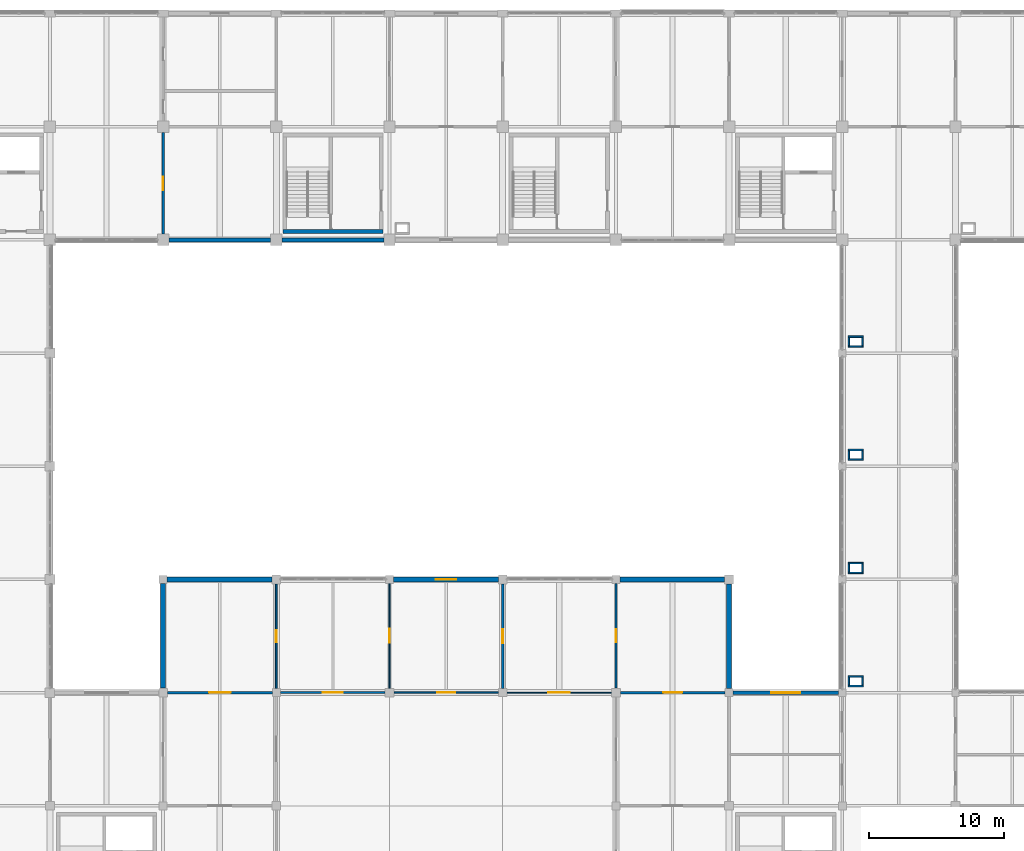
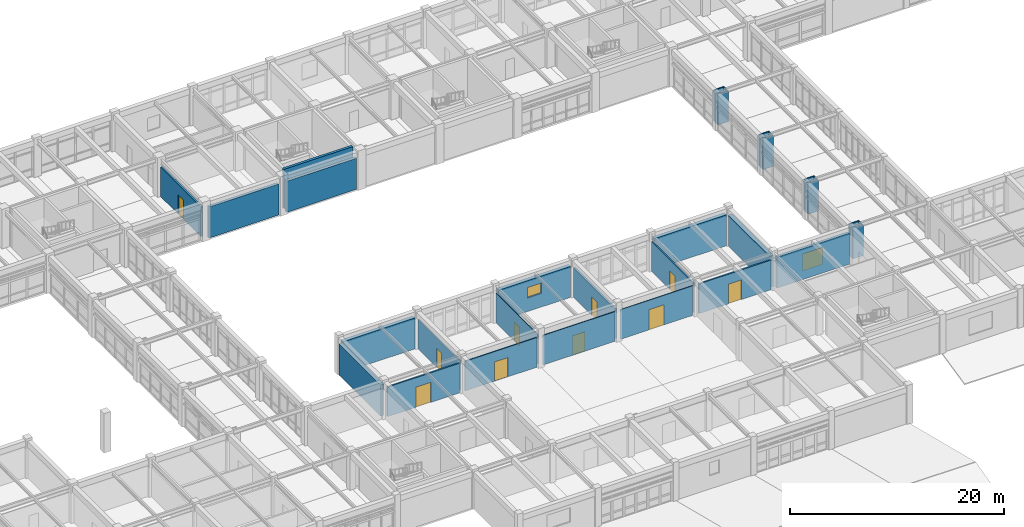
# One storey, part 67 of 78: 35 walls, 10 doors, 2 windows, 12 openings.
"""IFC4 building model written with IfcOpenShell, lengths in metres."""

from ifc_helpers import new_model, si_unit, direction, frame, frame_2d, origin, place, context, subcontext, project, spatial, rectangle, extrude, material, layer, layer_set, type_object, element, fill, save


model = new_model("IFC4")

# Units and contexts
model_context = context("Model", 3, precision=1e-05, world=origin(), true_north=direction((0.0, 1.0)))
body_context = subcontext(model_context, "Body", "Model", "MODEL_VIEW")
ifc_project = project(units=[si_unit("LENGTHUNIT", "METRE"), si_unit("AREAUNIT", "SQUARE_METRE"), si_unit("VOLUMEUNIT", "CUBIC_METRE"), si_unit("PLANEANGLEUNIT", "RADIAN"), si_unit("MASSUNIT", "GRAM", prefix="KILO")], contexts=[model_context])

# Site, building, storey
site_placement = place(None, origin())
site = spatial("IfcSite", under=ifc_project, at=site_placement, CompositionType="ELEMENT")
building_placement = place(site_placement, origin())
building = spatial("IfcBuilding", under=site, at=building_placement, Name="Porcellanite Civic Hall", CompositionType="ELEMENT")
storey_placement = place(building_placement, frame((0.0, 0.0, 10.260009765625)))
storey = spatial("IfcBuildingStorey", under=building, at=storey_placement, Name="L02", CompositionType="ELEMENT", Elevation=10.260009765625)

# Walls
ifc_material_1 = material(Name="Concrete N40 (40 MPa)", Category="concrete")
ifc_layer_1 = layer(ifc_material_1, 0.280029296875)
ifc_layer_set_1 = layer_set([ifc_layer_1], Name="Concrete N40 (40 MPa)")
wall_type_1 = type_object("IfcWallType", Name="CW-SH280", PredefinedType="SHEAR", material=ifc_layer_set_1)
wall_1_placement = place(storey_placement, frame((83.52001953125, 101.419921875, 0.0), z_axis=(0.0, 0.0, 1.0), x_axis=(-1.0, 0.0, 0.0)))
element("IfcWall", 1, at=wall_1_placement, inside=storey, type_object=wall_type_1, Name="Core wall S9 L02 S", PredefinedType="SHEAR", context=body_context, shape_type="SweptSolid", body=[
    extrude(rectangle(XDim=7.43994140625, YDim=0.280029296875, at=frame_2d((3.719970703125, 0.0))), origin(), (0.0, 0.0, 1.0), 4.5),
])
ifc_material_2 = material(Name="Precast concrete N40 (40 MPa)", Category="concrete")
ifc_layer_2 = layer(ifc_material_2, 0.300048828125)
ifc_layer_set_2 = layer_set([ifc_layer_2], Name="Precast concrete N40 (40 MPa)")
wall_type_2 = type_object("IfcWallType", Name="EW-ADM300", PredefinedType="SOLIDWALL", material=ifc_layer_set_2)
for number, where, z_axis, x_axis, name in (
    (2, (75.174072265625, 100.800048828125, 0.0), (0.0, 0.0, 1.0), (-1.0, 0.0, 0.0), "Exterior wall L02 S 9-13"),
    (3, (83.573974609375, 100.800048828125, 0.0), (0.0, 0.0, 1.0), (-1.0, 0.0, 0.0), "Exterior wall L02 S 10-13"),
):
    element("IfcWall", number, at=place(storey_placement, frame(where, z_axis=z_axis, x_axis=x_axis)), inside=storey, type_object=wall_type_2, Name=name, PredefinedType="SOLIDWALL", context=body_context, shape_type="SweptSolid", body=[
        extrude(rectangle(XDim=7.548095703125, YDim=0.300048828125, at=frame_2d((3.77392578125, 0.0))), origin(), (0.0, 0.0, 1.0), 3.5400390625),
    ])

# Wall, opening, window
ifc_material_3 = material(Name="Precast concrete N40 (40 MPa)", Category="concrete")
ifc_layer_3 = layer(ifc_material_3, 0.280029296875)
ifc_layer_set_3 = layer_set([ifc_layer_3], Name="Precast concrete N40 (40 MPa)")
wall_type_3 = type_object("IfcWallType", Name="EW-CLO280", PredefinedType="SOLIDWALL", material=ifc_layer_set_3)
wall_2_placement = place(storey_placement, frame((109.5009765625, 67.199951171875, 0.0), z_axis=(0.0, 0.0, 1.0), x_axis=(1.0, 0.0, 0.0)))
wall_2 = element("IfcWall", 4, at=wall_2_placement, inside=storey, type_object=wall_type_3, Name="Exterior wall L02 N 14-8", PredefinedType="SOLIDWALL", context=body_context, shape_type="SweptSolid", body=[
    extrude(rectangle(XDim=7.822998046875, YDim=0.280029296875, at=frame_2d((3.91162109375, 0.0))), origin(), (0.0, 0.0, 1.0), 3.5400390625),
])
opening_1_placement = place(wall_2_placement, frame((2.8369140625, 0.0, 0.89990234375)))
opening_1 = element("IfcOpeningElement", 5, at=opening_1_placement, cuts=wall_2, Name="Opening W32", PredefinedType="OPENING", context=body_context, shape_type="SweptSolid", body=[
    extrude(rectangle(XDim=2.14990234375, YDim=1.949951171875, at=frame_2d((1.074951171875, 0.97509765625))), frame((0.0, 0.14013671875, 0.0), z_axis=(0.0, -1.0, 0.0), x_axis=(1.0, 0.0, 0.0)), (0.0, 0.0, 1.0), 0.280029296875),
])
ifc_material_4 = material(Name="Cyclone laminated low-E glazing in anodised aluminium frame", Category="aluminium")
window_type_1 = type_object("IfcWindowType", Name="WN-32", PartitioningType="DOUBLE_PANEL_VERTICAL", PredefinedType="WINDOW", material=ifc_material_4)
window_1_placement = place(opening_1_placement, origin())
window_1 = element("IfcWindow", 6, at=window_1_placement, inside=storey, type_object=window_type_1, Name="Window W32 L02 N 14-8", OverallHeight=1.949951171875, OverallWidth=2.14990234375, PartitioningType="SINGLE_PANEL", PredefinedType="WINDOW", context=body_context, shape_type="SweptSolid", body=[
    extrude(rectangle(XDim=2.14990234375, YDim=1.949951171875, at=frame_2d((1.074951171875, 0.97509765625))), frame((0.0, 0.030029296875, 0.0), z_axis=(0.0, -1.0, 0.0), x_axis=(1.0, 0.0, 0.0)), (0.0, 0.0, 1.0), 0.06005859375),
])
fill(opening_1, window_1)

# Walls
ifc_material_5 = material(Name="Precast concrete N40 (40 MPa)", Category="concrete")
ifc_layer_4 = layer(ifc_material_5, 0.3798828125)
ifc_layer_set_4 = layer_set([ifc_layer_4], Name="Precast concrete N40 (40 MPa)")
wall_type_4 = type_object("IfcWallType", Name="EW-DRUM380", PredefinedType="SOLIDWALL", material=ifc_layer_set_4)
wall_3_placement = place(storey_placement, frame((67.199951171875, 67.52587890625, 0.0), z_axis=(0.0, 0.0, 1.0), x_axis=(0.0, 1.0, 0.0)))
element("IfcWall", 7, at=wall_3_placement, inside=storey, type_object=wall_type_4, Name="Exterior wall L02 W 9-9", PredefinedType="SOLIDWALL", context=body_context, shape_type="SweptSolid", body=[
    extrude(rectangle(XDim=7.773193359375, YDim=0.3798828125, at=frame_2d((3.88671875, 0.0))), origin(), (0.0, 0.0, 1.0), 3.5400390625),
])
wall_4_placement = place(storey_placement, frame((67.5009765625, 75.60009765625, 0.0), z_axis=(0.0, 0.0, 1.0), x_axis=(1.0, 0.0, 0.0)))
element("IfcWall", 8, at=wall_4_placement, inside=storey, type_object=wall_type_4, Name="Exterior wall L02 N 9-9", PredefinedType="SOLIDWALL", context=body_context, shape_type="SweptSolid", body=[
    extrude(rectangle(XDim=7.77294921875, YDim=0.3798828125, at=frame_2d((3.886474609375, 0.0))), origin(), (0.0, 0.0, 1.0), 3.5400390625),
])

# Wall, opening, window
wall_5_placement = place(storey_placement, frame((84.301025390625, 75.60009765625, 0.0), z_axis=(0.0, 0.0, 1.0), x_axis=(1.0, 0.0, 0.0)))
wall_5 = element("IfcWall", 9, at=wall_5_placement, inside=storey, type_object=wall_type_4, Name="Exterior wall L02 N 11-9", PredefinedType="SOLIDWALL", context=body_context, shape_type="SweptSolid", body=[
    extrude(rectangle(XDim=7.77294921875, YDim=0.3798828125, at=frame_2d((3.886474609375, 0.0))), origin(), (0.0, 0.0, 1.0), 3.5400390625),
])
opening_2_placement = place(wall_5_placement, frame((3.135986328125, 0.0, 1.550048828125)))
opening_2 = element("IfcOpeningElement", 10, at=opening_2_placement, cuts=wall_5, Name="Opening W25", PredefinedType="OPENING", context=body_context, shape_type="SweptSolid", body=[
    extrude(rectangle(XDim=1.5, YDim=1.199951171875, at=frame_2d((0.75, 0.60009765625))), frame((0.0, 0.18994140625, 0.0), z_axis=(0.0, -1.0, 0.0), x_axis=(1.0, 0.0, 0.0)), (0.0, 0.0, 1.0), 0.3798828125),
])
ifc_material_6 = material(Name="Cyclone laminated low-E glazing in anodised aluminium frame", Category="aluminium")
window_type_2 = type_object("IfcWindowType", Name="WN-25", PartitioningType="SINGLE_PANEL", PredefinedType="WINDOW", material=ifc_material_6)
window_2_placement = place(opening_2_placement, origin())
window_2 = element("IfcWindow", 11, at=window_2_placement, inside=storey, type_object=window_type_2, Name="Window W25 L02 N 11-9", OverallHeight=1.199951171875, OverallWidth=1.5, PartitioningType="SINGLE_PANEL", PredefinedType="WINDOW", context=body_context, shape_type="SweptSolid", body=[
    extrude(rectangle(XDim=1.5, YDim=1.199951171875, at=frame_2d((0.75, 0.60009765625))), frame((0.0, 0.030029296875, 0.0), z_axis=(0.0, -1.0, 0.0), x_axis=(1.0, 0.0, 0.0)), (0.0, 0.0, 1.0), 0.06005859375),
])
fill(opening_2, window_2)

# Walls
for number, where, z_axis, x_axis, name in (
    (12, (101.10107421875, 75.60009765625, 0.0), (0.0, 0.0, 1.0), (1.0, 0.0, 0.0), "Exterior wall L02 N 13-9"),
    (13, (109.199951171875, 75.27392578125, 0.0), (0.0, 0.0, 1.0), (0.0, -1.0, 0.0), "Exterior wall L02 E 13-9"),
):
    element("IfcWall", number, at=place(storey_placement, frame(where, z_axis=z_axis, x_axis=x_axis)), inside=storey, type_object=wall_type_4, Name=name, PredefinedType="SOLIDWALL", context=body_context, shape_type="SweptSolid", body=[
        extrude(rectangle(XDim=7.77294921875, YDim=0.3798828125, at=frame_2d((3.886474609375, 0.0))), origin(), (0.0, 0.0, 1.0), 3.5400390625),
    ])
ifc_material_7 = material(Name="Fire-rated shaftwall plasterboard on steel studs", Category="steel")
ifc_layer_5 = layer(ifc_material_7, 0.117919921875)
ifc_layer_set_5 = layer_set([ifc_layer_5], Name="Fire-rated shaftwall plasterboard on steel studs")
wall_type_5 = type_object("IfcWallType", Name="IW-FR118", PredefinedType="PARTITIONING", material=ifc_layer_set_5)
for number, where, z_axis, x_axis, name in (
    (14, (118.031982421875, 67.69091796875, 0.0), (0.0, 0.0, 1.0), (1.0, 0.0, 0.0), "Fire riser shaftwall S L02 14-8"),
    (15, (118.031982421875, 68.408935546875, 0.0), (0.0, 0.0, 1.0), (1.0, 0.0, 0.0), "Fire riser shaftwall N L02 14-8"),
):
    element("IfcWall", number, at=place(storey_placement, frame(where, z_axis=z_axis, x_axis=x_axis)), inside=storey, type_object=wall_type_5, Name=name, PredefinedType="PARTITIONING", context=body_context, shape_type="SweptSolid", body=[
        extrude(rectangle(XDim=1.135986328125, YDim=0.117919921875, at=frame_2d((0.56787109375, 0.0))), origin(), (0.0, 0.0, 1.0), 3.530029296875),
    ])
for number, where, z_axis, x_axis, name in (
    (16, (118.091064453125, 67.75, 0.0), (0.0, 0.0, 1.0), (0.0, 1.0, 0.0), "Fire riser shaftwall W L02 14-8"),
    (17, (119.10888671875, 67.75, 0.0), (0.0, 0.0, 1.0), (0.0, 1.0, 0.0), "Fire riser shaftwall E L02 14-8"),
):
    element("IfcWall", number, at=place(storey_placement, frame(where, z_axis=z_axis, x_axis=x_axis)), inside=storey, type_object=wall_type_5, Name=name, PredefinedType="PARTITIONING", context=body_context, shape_type="SweptSolid", body=[
        extrude(rectangle(XDim=0.60009765625, YDim=0.117919921875, at=frame_2d((0.300048828125, 0.0))), origin(), (0.0, 0.0, 1.0), 3.530029296875),
    ])
for number, where, z_axis, x_axis, name in (
    (18, (118.031982421875, 76.091064453125, 0.0), (0.0, 0.0, 1.0), (1.0, 0.0, 0.0), "Fire riser shaftwall S L02 14-9"),
    (19, (118.031982421875, 76.80908203125, 0.0), (0.0, 0.0, 1.0), (1.0, 0.0, 0.0), "Fire riser shaftwall N L02 14-9"),
):
    element("IfcWall", number, at=place(storey_placement, frame(where, z_axis=z_axis, x_axis=x_axis)), inside=storey, type_object=wall_type_5, Name=name, PredefinedType="PARTITIONING", context=body_context, shape_type="SweptSolid", body=[
        extrude(rectangle(XDim=1.135986328125, YDim=0.117919921875, at=frame_2d((0.56787109375, 0.0))), origin(), (0.0, 0.0, 1.0), 3.530029296875),
    ])
for number, where, z_axis, x_axis, name in (
    (20, (118.091064453125, 76.14990234375, 0.0), (0.0, 0.0, 1.0), (0.0, 1.0, 0.0), "Fire riser shaftwall W L02 14-9"),
    (21, (119.10888671875, 76.14990234375, 0.0), (0.0, 0.0, 1.0), (0.0, 1.0, 0.0), "Fire riser shaftwall E L02 14-9"),
):
    element("IfcWall", number, at=place(storey_placement, frame(where, z_axis=z_axis, x_axis=x_axis)), inside=storey, type_object=wall_type_5, Name=name, PredefinedType="PARTITIONING", context=body_context, shape_type="SweptSolid", body=[
        extrude(rectangle(XDim=0.60009765625, YDim=0.117919921875, at=frame_2d((0.300048828125, 0.0))), origin(), (0.0, 0.0, 1.0), 3.530029296875),
    ])
for number, where, z_axis, x_axis, name in (
    (22, (118.031982421875, 84.490966796875, 0.0), (0.0, 0.0, 1.0), (1.0, 0.0, 0.0), "Fire riser shaftwall S L02 14-10"),
    (23, (118.031982421875, 85.208984375, 0.0), (0.0, 0.0, 1.0), (1.0, 0.0, 0.0), "Fire riser shaftwall N L02 14-10"),
):
    element("IfcWall", number, at=place(storey_placement, frame(where, z_axis=z_axis, x_axis=x_axis)), inside=storey, type_object=wall_type_5, Name=name, PredefinedType="PARTITIONING", context=body_context, shape_type="SweptSolid", body=[
        extrude(rectangle(XDim=1.135986328125, YDim=0.117919921875, at=frame_2d((0.56787109375, 0.0))), origin(), (0.0, 0.0, 1.0), 3.530029296875),
    ])
for number, where, z_axis, x_axis, name in (
    (24, (118.091064453125, 84.550048828125, 0.0), (0.0, 0.0, 1.0), (0.0, 1.0, 0.0), "Fire riser shaftwall W L02 14-10"),
    (25, (119.10888671875, 84.550048828125, 0.0), (0.0, 0.0, 1.0), (0.0, 1.0, 0.0), "Fire riser shaftwall E L02 14-10"),
):
    element("IfcWall", number, at=place(storey_placement, frame(where, z_axis=z_axis, x_axis=x_axis)), inside=storey, type_object=wall_type_5, Name=name, PredefinedType="PARTITIONING", context=body_context, shape_type="SweptSolid", body=[
        extrude(rectangle(XDim=0.599853515625, YDim=0.117919921875, at=frame_2d((0.2998046875, 0.0))), origin(), (0.0, 0.0, 1.0), 3.530029296875),
    ])
for number, where, z_axis, x_axis, name in (
    (26, (118.031982421875, 92.89111328125, 0.0), (0.0, 0.0, 1.0), (1.0, 0.0, 0.0), "Fire riser shaftwall S L02 14-11"),
    (27, (118.031982421875, 93.60888671875, 0.0), (0.0, 0.0, 1.0), (1.0, 0.0, 0.0), "Fire riser shaftwall N L02 14-11"),
):
    element("IfcWall", number, at=place(storey_placement, frame(where, z_axis=z_axis, x_axis=x_axis)), inside=storey, type_object=wall_type_5, Name=name, PredefinedType="PARTITIONING", context=body_context, shape_type="SweptSolid", body=[
        extrude(rectangle(XDim=1.135986328125, YDim=0.117919921875, at=frame_2d((0.56787109375, 0.0))), origin(), (0.0, 0.0, 1.0), 3.530029296875),
    ])
for number, where, z_axis, x_axis, name in (
    (28, (118.091064453125, 92.949951171875, 0.0), (0.0, 0.0, 1.0), (0.0, 1.0, 0.0), "Fire riser shaftwall W L02 14-11"),
    (29, (119.10888671875, 92.949951171875, 0.0), (0.0, 0.0, 1.0), (0.0, 1.0, 0.0), "Fire riser shaftwall E L02 14-11"),
):
    element("IfcWall", number, at=place(storey_placement, frame(where, z_axis=z_axis, x_axis=x_axis)), inside=storey, type_object=wall_type_5, Name=name, PredefinedType="PARTITIONING", context=body_context, shape_type="SweptSolid", body=[
        extrude(rectangle(XDim=0.60009765625, YDim=0.117919921875, at=frame_2d((0.300048828125, 0.0))), origin(), (0.0, 0.0, 1.0), 3.530029296875),
    ])

# Wall, opening, door
ifc_material_8 = material(Name="Insulated acoustic plasterboard on light-gauge steel studs", Category="steel")
ifc_layer_6 = layer(ifc_material_8, 0.087890625)
ifc_layer_set_6 = layer_set([ifc_layer_6], Name="Insulated acoustic plasterboard on light-gauge steel studs")
wall_type_6 = type_object("IfcWallType", Name="IW-PT088", PredefinedType="PARTITIONING", material=ifc_layer_set_6)
wall_6_placement = place(storey_placement, frame((92.701904296875, 67.199951171875, 0.0), z_axis=(0.0, 0.0, 1.0), x_axis=(1.0, 0.0, 0.0)))
wall_6 = element("IfcWall", 30, at=wall_6_placement, inside=storey, type_object=wall_type_6, Name="Partition L02 H 12-8", PredefinedType="PARTITIONING", context=body_context, shape_type="SweptSolid", body=[
    extrude(rectangle(XDim=7.77099609375, YDim=0.087890625, at=frame_2d((3.885498046875, 0.0))), origin(), (0.0, 0.0, 1.0), 3.369873046875),
])
opening_3_placement = place(wall_6_placement, frame((3.0849609375, 0.0, 0.0)))
opening_3 = element("IfcOpeningElement", 31, at=opening_3_placement, cuts=wall_6, Name="Opening D-L02-338", PredefinedType="OPENING", context=body_context, shape_type="SweptSolid", body=[
    extrude(rectangle(XDim=1.60009765625, YDim=2.300048828125, at=frame_2d((0.800048828125, 1.14990234375))), frame((0.0, 0.0439453125, 0.0), z_axis=(0.0, -1.0, 0.0), x_axis=(1.0, 0.0, 0.0)), (0.0, 0.0, 1.0), 0.087890625),
])
ifc_material_9 = material(Name="Acoustic spotted-gum timber and safety glass", Category="wood")
door_type_1 = type_object("IfcDoorType", Name="DR-AS160", OperationType="DOUBLE_DOOR_SINGLE_SWING", PredefinedType="DOOR", material=ifc_material_9)
door_1_placement = place(opening_3_placement, origin())
door_1 = element("IfcDoor", 32, at=door_1_placement, inside=storey, type_object=door_type_1, Name="Interior door D-L02-338", OperationType="DOUBLE_DOOR_SINGLE_SWING", OverallHeight=2.300048828125, OverallWidth=1.60009765625, PredefinedType="DOOR", context=body_context, shape_type="SweptSolid", body=[
    extrude(rectangle(XDim=1.60009765625, YDim=2.300048828125, at=frame_2d((0.800048828125, 1.14990234375))), frame((0.0, 0.02490234375, 0.0), z_axis=(0.0, -1.0, 0.0), x_axis=(1.0, 0.0, 0.0)), (0.0, 0.0, 1.0), 0.050048828125),
])
fill(opening_3, door_1)

ifc_material_10 = material(Name="Insulated acoustic plasterboard on light-gauge steel studs", Category="steel")
ifc_layer_7 = layer(ifc_material_10, 0.094970703125)
ifc_layer_set_7 = layer_set([ifc_layer_7], Name="Insulated acoustic plasterboard on light-gauge steel studs")
wall_type_7 = type_object("IfcWallType", Name="IW-PT095", PredefinedType="PARTITIONING", material=ifc_layer_set_7)
wall_7_placement = place(storey_placement, frame((84.0, 67.527099609375, 0.0), z_axis=(0.0, 0.0, 1.0), x_axis=(0.0, 1.0, 0.0)))
wall_7 = element("IfcWall", 33, at=wall_7_placement, inside=storey, type_object=wall_type_7, Name="Partition L02 V 10-9", PredefinedType="PARTITIONING", context=body_context, shape_type="SweptSolid", body=[
    extrude(rectangle(XDim=7.77099609375, YDim=0.094970703125, at=frame_2d((3.885498046875, 0.0))), origin(), (0.0, 0.0, 1.0), 3.369873046875),
])
opening_4_placement = place(wall_7_placement, frame((3.361083984375, 0.0, 0.0)))
opening_4 = element("IfcOpeningElement", 34, at=opening_4_placement, cuts=wall_7, Name="Opening D-L02-386", PredefinedType="OPENING", context=body_context, shape_type="SweptSolid", body=[
    extrude(rectangle(XDim=1.050048828125, YDim=2.1201171875, at=frame_2d((0.52490234375, 1.06005859375))), frame((0.0, 0.04736328125, 0.0), z_axis=(0.0, -1.0, 0.0), x_axis=(1.0, 0.0, 0.0)), (0.0, 0.0, 1.0), 0.094970703125),
])
ifc_material_11 = material(Name="Solid-core spotted-gum timber", Category="wood")
door_type_2 = type_object("IfcDoorType", Name="DR-RM105", OperationType="NOTDEFINED", PredefinedType="DOOR", material=ifc_material_11)
door_2_placement = place(opening_4_placement, origin())
door_2 = element("IfcDoor", 35, at=door_2_placement, inside=storey, type_object=door_type_2, Name="Interior door D-L02-386", OperationType="SINGLE_SWING_RIGHT", OverallHeight=2.1201171875, OverallWidth=1.050048828125, PredefinedType="DOOR", context=body_context, shape_type="SweptSolid", body=[
    extrude(rectangle(XDim=1.050048828125, YDim=2.1201171875, at=frame_2d((0.52490234375, 1.06005859375))), frame((0.0, 0.02490234375, 0.0), z_axis=(0.0, -1.0, 0.0), x_axis=(1.0, 0.0, 0.0)), (0.0, 0.0, 1.0), 0.050048828125),
])
fill(opening_4, door_2)

ifc_material_12 = material(Name="Insulated acoustic plasterboard on light-gauge steel studs", Category="steel")
ifc_layer_8 = layer(ifc_material_12, 0.114990234375)
ifc_layer_set_8 = layer_set([ifc_layer_8], Name="Insulated acoustic plasterboard on light-gauge steel studs")
wall_type_8 = type_object("IfcWallType", Name="IW-PT115", PredefinedType="PARTITIONING", material=ifc_layer_set_8)
wall_8_placement = place(storey_placement, frame((84.326904296875, 67.199951171875, 0.0), z_axis=(0.0, 0.0, 1.0), x_axis=(1.0, 0.0, 0.0)))
wall_8 = element("IfcWall", 36, at=wall_8_placement, inside=storey, type_object=wall_type_8, Name="Partition L02 H 11-8", PredefinedType="PARTITIONING", context=body_context, shape_type="SweptSolid", body=[
    extrude(rectangle(XDim=7.77099609375, YDim=0.114990234375, at=frame_2d((3.885498046875, 0.0))), origin(), (0.0, 0.0, 1.0), 3.369873046875),
])
opening_5_placement = place(wall_8_placement, frame((3.2099609375, 0.0, 0.0)))
opening_5 = element("IfcOpeningElement", 37, at=opening_5_placement, cuts=wall_8, Name="Opening D-L02-335", PredefinedType="OPENING", context=body_context, shape_type="SweptSolid", body=[
    extrude(rectangle(XDim=1.35009765625, YDim=2.199951171875, at=frame_2d((0.675048828125, 1.10009765625))), frame((0.0, 0.0576171875, 0.0), z_axis=(0.0, -1.0, 0.0), x_axis=(1.0, 0.0, 0.0)), (0.0, 0.0, 1.0), 0.114990234375),
])
ifc_material_13 = material(Name="Acoustic spotted-gum timber and safety glass", Category="wood")
door_type_3 = type_object("IfcDoorType", Name="DR-AS135", OperationType="DOUBLE_DOOR_SINGLE_SWING", PredefinedType="DOOR", material=ifc_material_13)
door_3_placement = place(opening_5_placement, origin())
door_3 = element("IfcDoor", 38, at=door_3_placement, inside=storey, type_object=door_type_3, Name="Interior door D-L02-335", OperationType="DOUBLE_DOOR_SINGLE_SWING", OverallHeight=2.199951171875, OverallWidth=1.35009765625, PredefinedType="DOOR", context=body_context, shape_type="SweptSolid", body=[
    extrude(rectangle(XDim=1.35009765625, YDim=2.199951171875, at=frame_2d((0.675048828125, 1.10009765625))), frame((0.0, 0.02490234375, 0.0), z_axis=(0.0, -1.0, 0.0), x_axis=(1.0, 0.0, 0.0)), (0.0, 0.0, 1.0), 0.050048828125),
])
fill(opening_5, door_3)

ifc_material_14 = material(Name="Insulated acoustic plasterboard on light-gauge steel studs", Category="steel")
ifc_layer_9 = layer(ifc_material_14, 0.125)
ifc_layer_set_9 = layer_set([ifc_layer_9], Name="Insulated acoustic plasterboard on light-gauge steel studs")
wall_type_9 = type_object("IfcWallType", Name="IW-PT125", PredefinedType="PARTITIONING", material=ifc_layer_set_9)
wall_9_placement = place(storey_placement, frame((75.60009765625, 67.501953125, 0.0), z_axis=(0.0, 0.0, 1.0), x_axis=(0.0, 1.0, 0.0)))
wall_9 = element("IfcWall", 39, at=wall_9_placement, inside=storey, type_object=wall_type_9, Name="Partition L02 V 9-9", PredefinedType="PARTITIONING", context=body_context, shape_type="SweptSolid", body=[
    extrude(rectangle(XDim=7.77099609375, YDim=0.125, at=frame_2d((3.885498046875, 0.0))), origin(), (0.0, 0.0, 1.0), 3.369873046875),
])
opening_6_placement = place(wall_9_placement, frame((3.425048828125, 0.0, 0.0)))
opening_6 = element("IfcOpeningElement", 40, at=opening_6_placement, cuts=wall_9, Name="Opening D-L02-385", PredefinedType="OPENING", context=body_context, shape_type="SweptSolid", body=[
    extrude(rectangle(XDim=0.919921875, YDim=2.14990234375, at=frame_2d((0.4599609375, 1.074951171875))), frame((0.0, 0.0625, 0.0), z_axis=(0.0, -1.0, 0.0), x_axis=(1.0, 0.0, 0.0)), (0.0, 0.0, 1.0), 0.125),
])
ifc_material_15 = material(Name="Solid-core spotted-gum timber", Category="wood")
door_type_4 = type_object("IfcDoorType", Name="DR-RM092", OperationType="NOTDEFINED", PredefinedType="DOOR", material=ifc_material_15)
door_4_placement = place(opening_6_placement, origin())
door_4 = element("IfcDoor", 41, at=door_4_placement, inside=storey, type_object=door_type_4, Name="Interior door D-L02-385", OperationType="SINGLE_SWING_LEFT", OverallHeight=2.14990234375, OverallWidth=0.919921875, PredefinedType="DOOR", context=body_context, shape_type="SweptSolid", body=[
    extrude(rectangle(XDim=0.919921875, YDim=2.14990234375, at=frame_2d((0.4599609375, 1.074951171875))), frame((0.0, 0.02490234375, 0.0), z_axis=(0.0, -1.0, 0.0), x_axis=(1.0, 0.0, 0.0)), (0.0, 0.0, 1.0), 0.050048828125),
])
fill(opening_6, door_4)

ifc_material_16 = material(Name="Insulated acoustic plasterboard on light-gauge steel studs", Category="steel")
ifc_layer_10 = layer(ifc_material_16, 0.14501953125)
ifc_layer_set_10 = layer_set([ifc_layer_10], Name="Insulated acoustic plasterboard on light-gauge steel studs")
wall_type_10 = type_object("IfcWallType", Name="IW-PT145", PredefinedType="PARTITIONING", material=ifc_layer_set_10)
wall_10_placement = place(storey_placement, frame((75.902099609375, 67.199951171875, 0.0), z_axis=(0.0, 0.0, 1.0), x_axis=(1.0, 0.0, 0.0)))
wall_10 = element("IfcWall", 42, at=wall_10_placement, inside=storey, type_object=wall_type_10, Name="Partition L02 H 10-8", PredefinedType="PARTITIONING", context=body_context, shape_type="SweptSolid", body=[
    extrude(rectangle(XDim=7.77099609375, YDim=0.14501953125, at=frame_2d((3.885498046875, 0.0))), origin(), (0.0, 0.0, 1.0), 3.369873046875),
])
opening_7_placement = place(wall_10_placement, frame((3.159912109375, 0.0, 0.0)))
opening_7 = element("IfcOpeningElement", 43, at=opening_7_placement, cuts=wall_10, Name="Opening D-L02-333", PredefinedType="OPENING", context=body_context, shape_type="SweptSolid", body=[
    extrude(rectangle(XDim=1.449951171875, YDim=2.199951171875, at=frame_2d((0.72509765625, 1.10009765625))), frame((0.0, 0.072509765625, 0.0), z_axis=(0.0, -1.0, 0.0), x_axis=(1.0, 0.0, 0.0)), (0.0, 0.0, 1.0), 0.14501953125),
])
ifc_material_17 = material(Name="Acoustic spotted-gum timber and safety glass", Category="wood")
door_type_5 = type_object("IfcDoorType", Name="DR-AS145", OperationType="DOUBLE_DOOR_SINGLE_SWING", PredefinedType="DOOR", material=ifc_material_17)
door_5_placement = place(opening_7_placement, origin())
door_5 = element("IfcDoor", 44, at=door_5_placement, inside=storey, type_object=door_type_5, Name="Interior door D-L02-333", OperationType="DOUBLE_DOOR_SINGLE_SWING", OverallHeight=2.199951171875, OverallWidth=1.449951171875, PredefinedType="DOOR", context=body_context, shape_type="SweptSolid", body=[
    extrude(rectangle(XDim=1.449951171875, YDim=2.199951171875, at=frame_2d((0.72509765625, 1.10009765625))), frame((0.0, 0.02490234375, 0.0), z_axis=(0.0, -1.0, 0.0), x_axis=(1.0, 0.0, 0.0)), (0.0, 0.0, 1.0), 0.050048828125),
])
fill(opening_7, door_5)

ifc_material_18 = material(Name="Insulated acoustic plasterboard on light-gauge steel studs", Category="steel")
ifc_layer_11 = layer(ifc_material_18, 0.155029296875)
ifc_layer_set_11 = layer_set([ifc_layer_11], Name="Insulated acoustic plasterboard on light-gauge steel studs")
wall_type_11 = type_object("IfcWallType", Name="IW-PT155", PredefinedType="PARTITIONING", material=ifc_layer_set_11)
wall_11_placement = place(storey_placement, frame((100.800048828125, 67.527099609375, 0.0), z_axis=(0.0, 0.0, 1.0), x_axis=(0.0, 1.0, 0.0)))
wall_11 = element("IfcWall", 45, at=wall_11_placement, inside=storey, type_object=wall_type_11, Name="Partition L02 V 12-9", PredefinedType="PARTITIONING", context=body_context, shape_type="SweptSolid", body=[
    extrude(rectangle(XDim=7.77099609375, YDim=0.155029296875, at=frame_2d((3.885498046875, 0.0))), origin(), (0.0, 0.0, 1.0), 3.369873046875),
])
opening_8_placement = place(wall_11_placement, frame((3.40087890625, 0.0, 0.0)))
opening_8 = element("IfcOpeningElement", 46, at=opening_8_placement, cuts=wall_11, Name="Opening D-L02-388", PredefinedType="OPENING", context=body_context, shape_type="SweptSolid", body=[
    extrude(rectangle(XDim=0.969970703125, YDim=2.1201171875, at=frame_2d((0.48486328125, 1.06005859375))), frame((0.0, 0.07763671875, 0.0), z_axis=(0.0, -1.0, 0.0), x_axis=(1.0, 0.0, 0.0)), (0.0, 0.0, 1.0), 0.155029296875),
])
ifc_material_19 = material(Name="Solid-core spotted-gum timber", Category="wood")
door_type_6 = type_object("IfcDoorType", Name="DR-RM097", OperationType="NOTDEFINED", PredefinedType="DOOR", material=ifc_material_19)
door_6_placement = place(opening_8_placement, origin())
door_6 = element("IfcDoor", 47, at=door_6_placement, inside=storey, type_object=door_type_6, Name="Interior door D-L02-388", OperationType="SINGLE_SWING_RIGHT", OverallHeight=2.1201171875, OverallWidth=0.969970703125, PredefinedType="DOOR", context=body_context, shape_type="SweptSolid", body=[
    extrude(rectangle(XDim=0.969970703125, YDim=2.1201171875, at=frame_2d((0.48486328125, 1.06005859375))), frame((0.0, 0.02490234375, 0.0), z_axis=(0.0, -1.0, 0.0), x_axis=(1.0, 0.0, 0.0)), (0.0, 0.0, 1.0), 0.050048828125),
])
fill(opening_8, door_6)

ifc_material_20 = material(Name="Insulated acoustic plasterboard on light-gauge steel studs", Category="steel")
ifc_layer_12 = layer(ifc_material_20, 0.175048828125)
ifc_layer_set_12 = layer_set([ifc_layer_12], Name="Insulated acoustic plasterboard on light-gauge steel studs")
wall_type_12 = type_object("IfcWallType", Name="IW-PT175", PredefinedType="PARTITIONING", material=ifc_layer_set_12)
wall_12_placement = place(storey_placement, frame((67.527099609375, 67.199951171875, 0.0), z_axis=(0.0, 0.0, 1.0), x_axis=(1.0, 0.0, 0.0)))
wall_12 = element("IfcWall", 48, at=wall_12_placement, inside=storey, type_object=wall_type_12, Name="Partition L02 H 9-8", PredefinedType="PARTITIONING", context=body_context, shape_type="SweptSolid", body=[
    extrude(rectangle(XDim=7.77099609375, YDim=0.175048828125, at=frame_2d((3.885498046875, 0.0))), origin(), (0.0, 0.0, 1.0), 3.369873046875),
])
opening_9_placement = place(wall_12_placement, frame((3.0849609375, 0.0, 0.0)))
opening_9 = element("IfcOpeningElement", 49, at=opening_9_placement, cuts=wall_12, Name="Opening D-L02-331", PredefinedType="OPENING", context=body_context, shape_type="SweptSolid", body=[
    extrude(rectangle(XDim=1.60009765625, YDim=2.300048828125, at=frame_2d((0.800048828125, 1.14990234375))), frame((0.0, 0.08740234375, 0.0), z_axis=(0.0, -1.0, 0.0), x_axis=(1.0, 0.0, 0.0)), (0.0, 0.0, 1.0), 0.175048828125),
])
door_7_placement = place(opening_9_placement, origin())
door_7 = element("IfcDoor", 50, at=door_7_placement, inside=storey, type_object=door_type_1, Name="Interior door D-L02-331", OperationType="DOUBLE_DOOR_SINGLE_SWING", OverallHeight=2.300048828125, OverallWidth=1.60009765625, PredefinedType="DOOR", context=body_context, shape_type="SweptSolid", body=[
    extrude(rectangle(XDim=1.60009765625, YDim=2.300048828125, at=frame_2d((0.800048828125, 1.14990234375))), frame((0.0, 0.02490234375, 0.0), z_axis=(0.0, -1.0, 0.0), x_axis=(1.0, 0.0, 0.0)), (0.0, 0.0, 1.0), 0.050048828125),
])
fill(opening_9, door_7)

wall_13_placement = place(storey_placement, frame((101.126953125, 67.199951171875, 0.0), z_axis=(0.0, 0.0, 1.0), x_axis=(1.0, 0.0, 0.0)))
wall_13 = element("IfcWall", 51, at=wall_13_placement, inside=storey, type_object=wall_type_12, Name="Partition L02 H 13-8", PredefinedType="PARTITIONING", context=body_context, shape_type="SweptSolid", body=[
    extrude(rectangle(XDim=7.77099609375, YDim=0.175048828125, at=frame_2d((3.885498046875, 0.0))), origin(), (0.0, 0.0, 1.0), 3.369873046875),
])
opening_10_placement = place(wall_13_placement, frame((3.18603515625, 0.0, 0.0)))
opening_10 = element("IfcOpeningElement", 52, at=opening_10_placement, cuts=wall_13, Name="Opening D-L02-341", PredefinedType="OPENING", context=body_context, shape_type="SweptSolid", body=[
    extrude(rectangle(XDim=1.39990234375, YDim=2.25, at=frame_2d((0.699951171875, 1.125))), frame((0.0, 0.08740234375, 0.0), z_axis=(0.0, -1.0, 0.0), x_axis=(1.0, 0.0, 0.0)), (0.0, 0.0, 1.0), 0.175048828125),
])
ifc_material_21 = material(Name="Acoustic spotted-gum timber and safety glass", Category="wood")
door_type_7 = type_object("IfcDoorType", Name="DR-AS140", OperationType="DOUBLE_DOOR_SINGLE_SWING", PredefinedType="DOOR", material=ifc_material_21)
door_8_placement = place(opening_10_placement, origin())
door_8 = element("IfcDoor", 53, at=door_8_placement, inside=storey, type_object=door_type_7, Name="Interior door D-L02-341", OperationType="DOUBLE_DOOR_SINGLE_SWING", OverallHeight=2.25, OverallWidth=1.39990234375, PredefinedType="DOOR", context=body_context, shape_type="SweptSolid", body=[
    extrude(rectangle(XDim=1.39990234375, YDim=2.25, at=frame_2d((0.699951171875, 1.125))), frame((0.0, 0.02490234375, 0.0), z_axis=(0.0, -1.0, 0.0), x_axis=(1.0, 0.0, 0.0)), (0.0, 0.0, 1.0), 0.050048828125),
])
fill(opening_10, door_8)

ifc_material_22 = material(Name="Insulated acoustic plasterboard on light-gauge steel studs", Category="steel")
ifc_layer_13 = layer(ifc_material_22, 0.18505859375)
ifc_layer_set_13 = layer_set([ifc_layer_13], Name="Insulated acoustic plasterboard on light-gauge steel studs")
wall_type_13 = type_object("IfcWallType", Name="IW-PT185", PredefinedType="PARTITIONING", material=ifc_layer_set_13)
wall_14_placement = place(storey_placement, frame((92.39990234375, 67.501953125, 0.0), z_axis=(0.0, 0.0, 1.0), x_axis=(0.0, 1.0, 0.0)))
wall_14 = element("IfcWall", 54, at=wall_14_placement, inside=storey, type_object=wall_type_13, Name="Partition L02 V 11-9", PredefinedType="PARTITIONING", context=body_context, shape_type="SweptSolid", body=[
    extrude(rectangle(XDim=7.77099609375, YDim=0.18505859375, at=frame_2d((3.885498046875, 0.0))), origin(), (0.0, 0.0, 1.0), 3.369873046875),
])
opening_11_placement = place(wall_14_placement, frame((3.381103515625, 0.0, 0.0)))
opening_11 = element("IfcOpeningElement", 55, at=opening_11_placement, cuts=wall_14, Name="Opening D-L02-387", PredefinedType="OPENING", context=body_context, shape_type="SweptSolid", body=[
    extrude(rectangle(XDim=1.010009765625, YDim=2.1201171875, at=frame_2d((0.5048828125, 1.06005859375))), frame((0.0, 0.092529296875, 0.0), z_axis=(0.0, -1.0, 0.0), x_axis=(1.0, 0.0, 0.0)), (0.0, 0.0, 1.0), 0.18505859375),
])
ifc_material_23 = material(Name="Solid-core spotted-gum timber", Category="wood")
door_type_8 = type_object("IfcDoorType", Name="DR-RM101", OperationType="NOTDEFINED", PredefinedType="DOOR", material=ifc_material_23)
door_9_placement = place(opening_11_placement, origin())
door_9 = element("IfcDoor", 56, at=door_9_placement, inside=storey, type_object=door_type_8, Name="Interior door D-L02-387", OperationType="SINGLE_SWING_LEFT", OverallHeight=2.1201171875, OverallWidth=1.010009765625, PredefinedType="DOOR", context=body_context, shape_type="SweptSolid", body=[
    extrude(rectangle(XDim=1.010009765625, YDim=2.1201171875, at=frame_2d((0.5048828125, 1.06005859375))), frame((0.0, 0.02490234375, 0.0), z_axis=(0.0, -1.0, 0.0), x_axis=(1.0, 0.0, 0.0)), (0.0, 0.0, 1.0), 0.050048828125),
])
fill(opening_11, door_9)

ifc_material_24 = material(Name="Insulated acoustic plasterboard on light-gauge steel studs", Category="steel")
ifc_layer_14 = layer(ifc_material_24, 0.195068359375)
ifc_layer_set_14 = layer_set([ifc_layer_14], Name="Insulated acoustic plasterboard on light-gauge steel studs")
wall_type_14 = type_object("IfcWallType", Name="IW-PT195", PredefinedType="PARTITIONING", material=ifc_layer_set_14)
wall_15_placement = place(storey_placement, frame((67.199951171875, 101.22705078125, 0.0), z_axis=(0.0, 0.0, 1.0), x_axis=(0.0, 1.0, 0.0)))
wall_15 = element("IfcWall", 57, at=wall_15_placement, inside=storey, type_object=wall_type_14, Name="Partition L02 V 8-13", PredefinedType="PARTITIONING", context=body_context, shape_type="SweptSolid", body=[
    extrude(rectangle(XDim=7.5458984375, YDim=0.195068359375, at=frame_2d((3.77294921875, 0.0))), origin(), (0.0, 0.0, 1.0), 3.369873046875),
])
opening_12_placement = place(wall_15_placement, frame((3.27294921875, 0.0, 0.0)))
opening_12 = element("IfcOpeningElement", 58, at=opening_12_placement, cuts=wall_15, Name="Opening D-L02-355", PredefinedType="OPENING", context=body_context, shape_type="SweptSolid", body=[
    extrude(rectangle(XDim=1.0, YDim=2.199951171875, at=frame_2d((0.5, 1.10009765625))), frame((0.0, 0.09765625, 0.0), z_axis=(0.0, -1.0, 0.0), x_axis=(1.0, 0.0, 0.0)), (0.0, 0.0, 1.0), 0.195068359375),
])
ifc_material_25 = material(Name="Solid-core spotted-gum timber", Category="wood")
door_type_9 = type_object("IfcDoorType", Name="DR-RM100", OperationType="NOTDEFINED", PredefinedType="DOOR", material=ifc_material_25)
door_10_placement = place(opening_12_placement, origin())
door_10 = element("IfcDoor", 59, at=door_10_placement, inside=storey, type_object=door_type_9, Name="Interior door D-L02-355", OperationType="SINGLE_SWING_LEFT", OverallHeight=2.199951171875, OverallWidth=1.0, PredefinedType="DOOR", context=body_context, shape_type="SweptSolid", body=[
    extrude(rectangle(XDim=1.0, YDim=2.199951171875, at=frame_2d((0.5, 1.10009765625))), frame((0.0, 0.02490234375, 0.0), z_axis=(0.0, -1.0, 0.0), x_axis=(1.0, 0.0, 0.0)), (0.0, 0.0, 1.0), 0.050048828125),
])
fill(opening_12, door_10)

save(model, "model.ifc")
